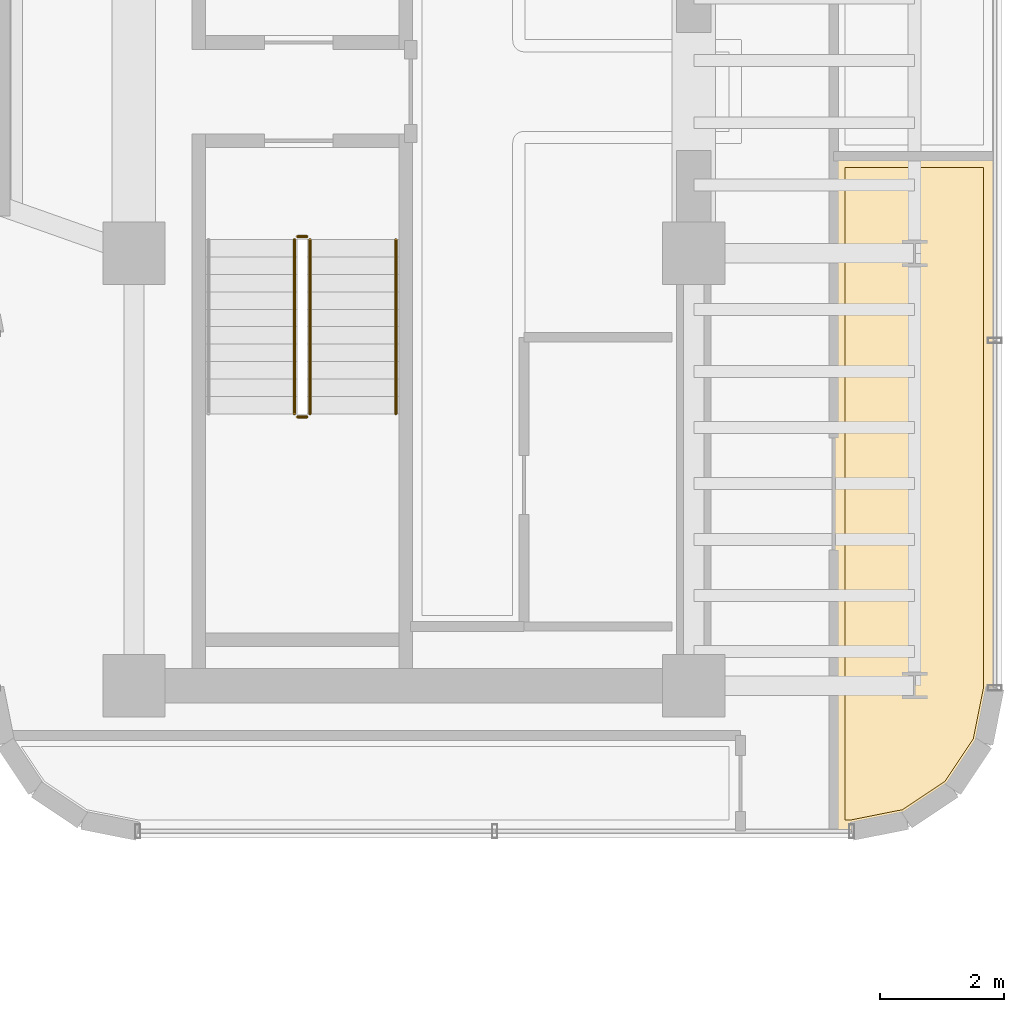
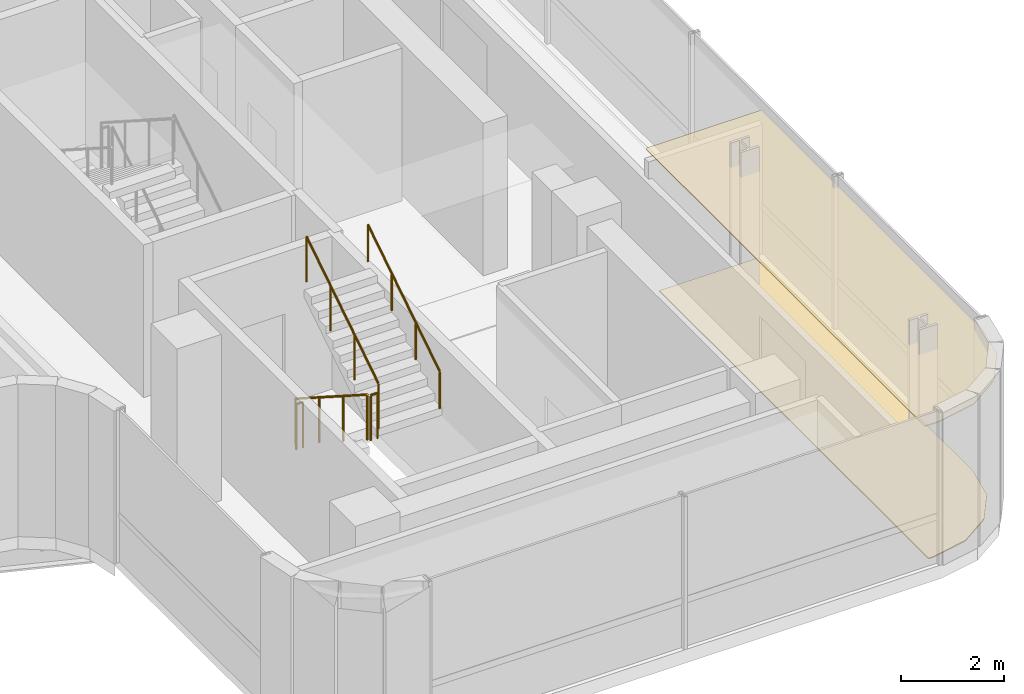
# One storey, part 35 of 38: 5 railings, 2 coverings.
"""IFC4 building model written with IfcOpenShell, lengths in metres."""

import ifcopenshell
import ifcopenshell.guid

model = None  # the IFC model being written
_history = None  # IfcOwnerHistory: only IFC2X3 demands one
_inside = {}  # id of a spatial element -> (the spatial element, [elements in it])
_under = {}  # id of a project, library or spatial element -> (it, [spatial elements below it])
_declared = {}  # id of a project -> (the project, [libraries it declares])
_typed = {}  # id of a type object -> (the type object, [elements of that type])
_made_of = {}  # id of a material, layer set ... -> (it, [elements and type objects made of it])


def new_model(schema):
    """Start an empty IFC model of exactly this schema.

    Asked for "IFC4X3", IfcOpenShell would pick the latest addendum, in which some entities
    have other attributes; the version numbers below select the first issue.
    IFC2X3 requires an IfcOwnerHistory on every rooted entity: one is made here for all.
    """
    global model, _history
    if schema == "IFC4X3":
        model = ifcopenshell.file(schema_version=(4, 3, 0, 0))
    else:
        model = ifcopenshell.file(schema=schema)
    _inside.clear()
    _under.clear()
    _declared.clear()
    _typed.clear()
    _made_of.clear()
    _history = None
    if model.schema == "IFC2X3":
        org = make("IfcOrganization", Name="unknown")
        user = make(
            "IfcPersonAndOrganization",
            ThePerson=make("IfcPerson", FamilyName="unknown"),
            TheOrganization=org,
        )
        app = make(
            "IfcApplication",
            ApplicationDeveloper=org,
            Version="unknown",
            ApplicationFullName="unknown",
            ApplicationIdentifier="unknown",
        )
        _history = make(
            "IfcOwnerHistory",
            OwningUser=user,
            OwningApplication=app,
            ChangeAction="ADDED",
            CreationDate=0,
        )
    return model


def make(cls, **values):
    """One entity of the class cls with the attributes given. An attribute that is None is left unset."""
    return model.create_entity(
        cls, **{name: value for name, value in values.items() if value is not None}
    )


def rooted(cls, **values):
    """An entity with a GlobalId (a new one), such as an element, a storey or a relation."""
    return make(cls, GlobalId=ifcopenshell.guid.new(), OwnerHistory=_history, **values)


def si_unit(unit_type, name, prefix=None):
    """IfcSIUnit, for example si_unit("LENGTHUNIT", "METRE", prefix="MILLI")."""
    return make("IfcSIUnit", UnitType=unit_type, Prefix=prefix, Name=name)


def assignment(units):
    """IfcUnitAssignment: the units of a project."""
    return None if units is None else make("IfcUnitAssignment", Units=units)


def point(xyz):
    """IfcCartesianPoint."""
    return None if xyz is None else make("IfcCartesianPoint", Coordinates=xyz)


def direction(xyz):
    """IfcDirection."""
    return None if xyz is None else make("IfcDirection", DirectionRatios=xyz)


def frame(location, z_axis=None, x_axis=None):
    """IfcAxis2Placement3D, a coordinate frame: its origin and axes. An axis left out is left unset."""
    return make(
        "IfcAxis2Placement3D",
        Location=point(location),
        Axis=direction(z_axis),
        RefDirection=direction(x_axis),
    )


def frame_2d(location, x_axis=None):
    """IfcAxis2Placement2D, a coordinate frame in the plane: its origin and x axis."""
    return make(
        "IfcAxis2Placement2D", Location=point(location), RefDirection=direction(x_axis)
    )


def origin():
    """The frame at (0, 0, 0) with its axes left unset."""
    return frame((0.0, 0.0, 0.0))


def origin_2d():
    """The frame at (0, 0) in the plane with its x axis left unset."""
    return frame_2d((0.0, 0.0))


def place(relative_to, where):
    """IfcLocalPlacement: puts the frame where relative to a parent placement (None: the world)."""
    return make(
        "IfcLocalPlacement", PlacementRelTo=relative_to, RelativePlacement=where
    )


def context(
    kind, dimensions, precision=None, world=None, true_north=None, identifier=None
):
    """IfcGeometricRepresentationContext, for example the 3D "Model" context."""
    return make(
        "IfcGeometricRepresentationContext",
        ContextIdentifier=identifier,
        ContextType=kind,
        CoordinateSpaceDimension=dimensions,
        Precision=precision,
        WorldCoordinateSystem=world,
        TrueNorth=true_north,
    )


def subcontext(parent, identifier, kind, view, scale=None):
    """IfcGeometricRepresentationSubContext, for example "Body" below "Model"."""
    return make(
        "IfcGeometricRepresentationSubContext",
        ContextIdentifier=identifier,
        ContextType=kind,
        ParentContext=parent,
        TargetScale=scale,
        TargetView=view,
    )


def project(units=None, contexts=None):
    """IfcProject with its units and contexts."""
    return rooted(
        "IfcProject",
        Name="project",
        RepresentationContexts=contexts,
        UnitsInContext=assignment(units),
    )


def spatial(cls, under=None, at=None, **own):
    """A site, building, storey or space (cls), placed at a placement, below another one or the project."""
    s = rooted(cls, ObjectPlacement=at, **own)
    if under is not None:
        _under.setdefault(under.id(), (under, []))[1].append(s)
    return s


def polyline(points):
    """IfcPolyline through the points."""
    return make("IfcPolyline", Points=[point(p) for p in points])


def profile(cls, at=None, kind="AREA", **sizes):
    """A parametric profile (cls). Its sizes go by their IFC names, for example OverallWidth=200.0."""
    return make(cls, ProfileType=kind, Position=at, **sizes)


def circle(**sizes):
    """IfcCircleProfileDef."""
    return profile("IfcCircleProfileDef", **sizes)


def outline(outer, holes=None, kind="AREA"):
    """IfcArbitraryClosedProfileDef: a profile drawn as a closed curve; with holes, ...WithVoids."""
    if holes is None:
        return make("IfcArbitraryClosedProfileDef", ProfileType=kind, OuterCurve=outer)
    return make(
        "IfcArbitraryProfileDefWithVoids",
        ProfileType=kind,
        OuterCurve=outer,
        InnerCurves=holes,
    )


def extrude(swept, where, along, depth):
    """IfcExtrudedAreaSolid: the profile swept, set in the frame where, extruded along a direction by depth."""
    return make(
        "IfcExtrudedAreaSolid",
        SweptArea=swept,
        Position=where,
        ExtrudedDirection=direction(along),
        Depth=depth,
    )


def shape(context_of_items, identifier, shape_type, items):
    """IfcShapeRepresentation: the items that make up one representation, for example the "Body"."""
    return make(
        "IfcShapeRepresentation",
        ContextOfItems=context_of_items,
        RepresentationIdentifier=identifier,
        RepresentationType=shape_type,
        Items=items,
    )


def material(Name=None, Category=None):
    """IfcMaterial."""
    return make("IfcMaterial", Name=Name, Category=Category)


def layer(
    of_material, thickness, ventilated=None, Name=None, Category=None, Priority=None
):
    """IfcMaterialLayer: one layer of a wall or slab, of a material (None: an air gap)."""
    return make(
        "IfcMaterialLayer",
        Material=of_material,
        LayerThickness=thickness,
        IsVentilated=ventilated,
        Name=Name,
        Category=Category,
        Priority=Priority,
    )


def layer_set(layers, Name=None):
    """IfcMaterialLayerSet."""
    return make("IfcMaterialLayerSet", MaterialLayers=layers, LayerSetName=Name)


def made_of(thing, what):
    """Note that an element or type object is made of a material, layer set ...; save() writes the relation."""
    if what is not None:
        _made_of.setdefault(what.id(), (what, []))[1].append(thing)
    return thing


def type_object(cls, material=None, **own):
    """A type object (cls), such as IfcWallType, which elements share."""
    return made_of(rooted(cls, **own), material)


def element(
    cls,
    number,
    at=None,
    inside=None,
    cuts=None,
    type_object=None,
    material=None,
    context=None,
    identifier="Body",
    shape_type=None,
    held_by="IfcProductDefinitionShape",
    body=None,
    shapes=None,
    **own,
):
    """One element of the class cls, such as IfcWall. Its Tag is "e" and its number.

    at: its placement. inside: the storey or other place that contains it. cuts: it is an
    opening in that element (IfcRelVoidsElement). A single representation is given by context,
    identifier, shape_type and body (its items); several are given by shapes. held_by: the class
    of the entity that holds the representations. save() writes the other relations.
    """
    e = rooted(cls, Tag="e%d" % number, ObjectPlacement=at, **own)
    if body is not None:
        shapes = [shape(context, identifier, shape_type, body)]
    if shapes is not None:
        e.Representation = make(held_by, Representations=shapes)
    if inside is not None:
        _inside.setdefault(inside.id(), (inside, []))[1].append(e)
    if cuts is not None:
        rooted(
            "IfcRelVoidsElement", RelatingBuildingElement=cuts, RelatedOpeningElement=e
        )
    if type_object is not None:
        _typed.setdefault(type_object.id(), (type_object, []))[1].append(e)
    return made_of(e, material)


def aggregate(whole, parts):
    """IfcRelAggregates: a whole, such as a stair, and the parts it consists of."""
    return rooted("IfcRelAggregates", RelatingObject=whole, RelatedObjects=parts)


def save(model, path):
    """Write the relations noted so far, then the file.

    IfcRelAggregates (storeys below a building ...), IfcRelContainedInSpatialStructure (elements
    in a storey), IfcRelDefinesByType, IfcRelAssociatesMaterial and IfcRelDeclares: one each for
    every whole, place, type object, material and project.
    """
    for whole, parts in _under.values():
        aggregate(whole, parts)
    for where, things in _inside.values():
        rooted(
            "IfcRelContainedInSpatialStructure",
            RelatedElements=things,
            RelatingStructure=where,
        )
    for kind, things in _typed.values():
        rooted("IfcRelDefinesByType", RelatedObjects=things, RelatingType=kind)
    for what, things in _made_of.values():
        rooted("IfcRelAssociatesMaterial", RelatedObjects=things, RelatingMaterial=what)
    for by, libraries in _declared.values():
        rooted("IfcRelDeclares", RelatingContext=by, RelatedDefinitions=libraries)
    model.write(path)


model = new_model("IFC4")

# Units and contexts
model_context = context("Model", 3, precision=1e-05, world=origin(), true_north=direction((0.0, 1.0)))
body_context = subcontext(model_context, "Body", "Model", "MODEL_VIEW")
ifc_project = project(units=[si_unit("LENGTHUNIT", "METRE"), si_unit("AREAUNIT", "SQUARE_METRE"), si_unit("VOLUMEUNIT", "CUBIC_METRE"), si_unit("PLANEANGLEUNIT", "RADIAN"), si_unit("MASSUNIT", "GRAM", prefix="KILO")], contexts=[model_context])

# Site, building, storey
site_placement = place(None, origin())
site = spatial("IfcSite", under=ifc_project, at=site_placement, CompositionType="ELEMENT")
building_placement = place(site_placement, origin())
building = spatial("IfcBuilding", under=site, at=building_placement, Name="Valdorenza Pilgrim Sanctuary Tower", CompositionType="ELEMENT")
storey_placement = place(building_placement, frame((0.0, 0.0, 180.5)))
storey = spatial("IfcBuildingStorey", under=building, at=storey_placement, Name="L46", CompositionType="ELEMENT", Elevation=180.5)

# Coverings
ifc_material_1 = material(Name="Micro-perforated acoustic mineral ceiling tile", Category="gypsum")
ifc_layer_1 = layer(ifc_material_1, 0.02490234375, Name="Micro-perforated acoustic mineral ceiling tile")
ifc_layer_set_1 = layer_set([ifc_layer_1], Name="Micro-perforated acoustic mineral ceiling tile")
covering_type_1 = type_object("IfcCoveringType", Name="COV-CLG-ACU", PredefinedType="CEILING", material=ifc_layer_set_1)
covering_1_placement = place(storey_placement, frame((0.0, 0.0, 3.330078125)))
element("IfcCovering", 1, at=covering_1_placement, inside=storey, type_object=covering_type_1, Name="L46 East Reading Lounge L46-EB1 Acoustic Ceiling", PredefinedType="CEILING", context=body_context, shape_type="SweptSolid", body=[
    extrude(outline(polyline([(29.68994140625, -1.02490234375), (29.69140625, -1.025146484375), (29.69287109375, -1.025390625), (29.6943359375, -1.025634765625), (29.69580078125, -1.026123046875), (29.697021484375, -1.02685546875), (29.6982421875, -1.027587890625), (29.699462890625, -1.0283203125), (29.70068359375, -1.029296875), (29.70166015625, -1.030517578125), (29.702392578125, -1.03173828125), (29.703125, -1.032958984375), (29.703857421875, -1.0341796875), (29.704345703125, -1.03564453125), (29.70458984375, -1.037109375), (29.704833984375, -1.03857421875), (29.705078125, -1.0400390625), (29.705078125, -9.589111328125), (29.704833984375, -9.590576171875), (29.70458984375, -9.592041015625), (29.5283203125, -10.478515625), (29.528076171875, -10.479736328125), (29.527587890625, -10.481201171875), (29.52685546875, -10.482666015625), (29.526123046875, -10.48388671875), (29.0302734375, -11.22607421875), (29.029296875, -11.227294921875), (29.0283203125, -11.228515625), (29.02734375, -11.2294921875), (29.026123046875, -11.230224609375), (28.28369140625, -11.726318359375), (28.28271484375, -11.726806640625), (28.28125, -11.7275390625), (28.27978515625, -11.72802734375), (28.2783203125, -11.728515625), (27.39208984375, -11.90478515625), (27.390625, -11.90478515625), (27.38916015625, -11.905029296875), (27.10009765625, -11.905029296875), (27.098388671875, -11.90478515625), (27.09716796875, -11.90478515625), (27.095703125, -11.904296875), (27.09423828125, -11.90380859375), (27.093017578125, -11.9033203125), (27.091796875, -11.902587890625), (27.090576171875, -11.901611328125), (27.08935546875, -11.900634765625), (27.08837890625, -11.8994140625), (27.08740234375, -11.898193359375), (27.0869140625, -11.897216796875), (27.086181640625, -11.895751953125), (27.085693359375, -11.894287109375), (27.085205078125, -11.892822265625), (27.085205078125, -11.8916015625), (27.0849609375, -11.889892578125), (27.0849609375, -1.0400390625), (27.085205078125, -1.03857421875), (27.085205078125, -1.037109375), (27.085693359375, -1.03564453125), (27.086181640625, -1.0341796875), (27.0869140625, -1.032958984375), (27.08740234375, -1.03173828125), (27.08837890625, -1.030517578125), (27.08935546875, -1.029296875), (27.090576171875, -1.0283203125), (27.091796875, -1.027587890625), (27.093017578125, -1.02685546875), (27.09423828125, -1.026123046875), (27.095703125, -1.025634765625), (27.09716796875, -1.025390625), (27.098388671875, -1.025146484375), (27.10009765625, -1.02490234375), (29.68994140625, -1.02490234375)])), origin(), (0.0, 0.0, 1.0), 0.02490234375),
])
ifc_material_2 = material(Name="Honed travertine stone flooring", Category="masonry")
ifc_layer_2 = layer(ifc_material_2, 0.030029296875, Name="Honed travertine stone flooring")
ifc_layer_set_2 = layer_set([ifc_layer_2], Name="Honed travertine stone flooring")
covering_type_2 = type_object("IfcCoveringType", Name="COV-FLR-TRV", PredefinedType="FLOORING", material=ifc_layer_set_2)
covering_2_placement = place(storey_placement, origin())
element("IfcCovering", 2, at=covering_2_placement, inside=storey, type_object=covering_type_2, Name="L46 East Reading Lounge L46-EB1 Flooring", PredefinedType="FLOORING", context=body_context, shape_type="SweptSolid", body=[
    extrude(outline(polyline([(29.510009765625, -1.219970703125), (29.510009765625, -9.5712890625), (29.343994140625, -10.4052734375), (28.887939453125, -11.087890625), (28.205322265625, -11.544189453125), (27.371337890625, -11.7099609375), (27.280029296875, -11.7099609375), (27.280029296875, -1.219970703125), (29.510009765625, -1.219970703125)])), origin(), (0.0, 0.0, 1.0), 0.02490234375),
])

# Railings
ifc_material_3 = material(Name="Stainless steel Grade 316", Category="steel")
railing_type_1 = type_object("IfcRailingType", Name="RLG-GRD-1120", PredefinedType="GUARDRAIL", material=ifc_material_3)
railing_1_placement = place(storey_placement, frame((18.429931640625, -2.3798828125, 0.179443359375)))
element("IfcRailing", 3, at=railing_1_placement, inside=storey, type_object=railing_type_1, Name="L46 ST-B2 stair guard 1", PredefinedType="GUARDRAIL", context=body_context, shape_type="SweptSolid", body=[
    extrude(circle(Radius=0.02392578125, at=origin_2d()), frame((0.0, 0.0, 1.076171875), z_axis=(0.0, -0.841776520102, 0.539826166654), x_axis=(1.0, 0.0, 0.0)), (0.0, 0.0, 1.0), 3.326416015625),
    extrude(circle(Radius=0.02099609375, at=origin_2d()), origin(), (0.0, 0.0, 1.0), 1.052001953125),
    extrude(circle(Radius=0.02099609375, at=origin_2d()), frame((0.0, -0.933349609375, 0.5986328125)), (0.0, 0.0, 1.0), 1.052001953125),
    extrude(circle(Radius=0.02099609375, at=origin_2d()), frame((0.0, -1.86669921875, 1.197021484375)), (0.0, 0.0, 1.0), 1.052001953125),
    extrude(circle(Radius=0.02099609375, at=origin_2d()), frame((0.0, -2.800048828125, 1.795654296875)), (0.0, 0.0, 1.0), 1.052001953125),
])
railing_2_placement = place(storey_placement, frame((18.47998046875, -5.22998046875, 1.97509765625)))
element("IfcRailing", 4, at=railing_2_placement, inside=storey, type_object=railing_type_1, Name="L46 ST-B2 stair guard 2", PredefinedType="GUARDRAIL", context=body_context, shape_type="SweptSolid", body=[
    extrude(circle(Radius=0.02392578125, at=origin_2d()), frame((0.0, 0.0, 1.076171875), z_axis=(1.0, 0.0, 0.0), x_axis=(0.0, 1.0, 0.0)), (0.0, 0.0, 1.0), 0.14990234375),
    extrude(circle(Radius=0.02099609375, at=origin_2d()), origin(), (0.0, 0.0, 1.0), 1.052001953125),
    extrude(circle(Radius=0.02099609375, at=origin_2d()), frame((0.14990234375, 0.0, 0.0)), (0.0, 0.0, 1.0), 1.052001953125),
])
railing_3_placement = place(storey_placement, frame((18.679931640625, -5.179931640625, 2.154541015625)))
element("IfcRailing", 5, at=railing_3_placement, inside=storey, type_object=railing_type_1, Name="L46 ST-B2 stair guard 3", PredefinedType="GUARDRAIL", context=body_context, shape_type="SweptSolid", body=[
    extrude(circle(Radius=0.02392578125, at=origin_2d()), frame((0.0, 0.0, 1.076171875), z_axis=(0.0, 0.841809871826, 0.539774156196), x_axis=(-1.0, 0.0, 0.0)), (0.0, 0.0, 1.0), 3.326171875),
    extrude(circle(Radius=0.02099609375, at=origin_2d()), origin(), (0.0, 0.0, 1.0), 1.052001953125),
    extrude(circle(Radius=0.02099609375, at=origin_2d()), frame((0.0, 0.933349609375, 0.598388671875)), (0.0, 0.0, 1.0), 1.052001953125),
    extrude(circle(Radius=0.02099609375, at=origin_2d()), frame((0.0, 1.86669921875, 1.197021484375)), (0.0, 0.0, 1.0), 1.052001953125),
    extrude(circle(Radius=0.02099609375, at=origin_2d()), frame((0.0, 2.800048828125, 1.79541015625)), (0.0, 0.0, 1.0), 1.052001953125),
])
railing_4_placement = place(storey_placement, frame((18.47998046875, -2.330078125, 0.0)))
element("IfcRailing", 6, at=railing_4_placement, inside=storey, type_object=railing_type_1, Name="L46 ST-B2 stair guard 4", PredefinedType="GUARDRAIL", context=body_context, shape_type="SweptSolid", body=[
    extrude(circle(Radius=0.02392578125, at=origin_2d()), frame((0.0, 0.0, 1.076171875), z_axis=(1.0, 0.0, 0.0), x_axis=(0.0, 1.0, 0.0)), (0.0, 0.0, 1.0), 0.14990234375),
    extrude(circle(Radius=0.02099609375, at=origin_2d()), origin(), (0.0, 0.0, 1.0), 1.052001953125),
    extrude(circle(Radius=0.02099609375, at=origin_2d()), frame((0.14990234375, 0.0, 0.0)), (0.0, 0.0, 1.0), 1.052001953125),
])
ifc_material_4 = material(Name="Brushed stainless steel Grade 316", Category="steel")
railing_type_2 = type_object("IfcRailingType", Name="RLG-HND-920", PredefinedType="HANDRAIL", material=ifc_material_4)
railing_5_placement = place(storey_placement, frame((20.06005859375, -5.179931640625, 2.154541015625)))
element("IfcRailing", 7, at=railing_5_placement, inside=storey, type_object=railing_type_2, Name="L46 ST-B2 stair handrail 2", PredefinedType="HANDRAIL", context=body_context, shape_type="SweptSolid", body=[
    extrude(circle(Radius=0.02392578125, at=origin_2d()), frame((0.0, 0.0, 0.8759765625), z_axis=(0.0, 0.841809871826, 0.539774156196), x_axis=(-1.0, 0.0, 0.0)), (0.0, 0.0, 1.0), 3.326171875),
    extrude(circle(Radius=0.02099609375, at=origin_2d()), origin(), (0.0, 0.0, 1.0), 0.851806640625),
    extrude(circle(Radius=0.02099609375, at=origin_2d()), frame((0.0, 0.933349609375, 0.598388671875)), (0.0, 0.0, 1.0), 0.851806640625),
    extrude(circle(Radius=0.02099609375, at=origin_2d()), frame((0.0, 1.86669921875, 1.197021484375)), (0.0, 0.0, 1.0), 0.851806640625),
    extrude(circle(Radius=0.02099609375, at=origin_2d()), frame((0.0, 2.800048828125, 1.79541015625)), (0.0, 0.0, 1.0), 0.851806640625),
])

save(model, "model.ifc")
